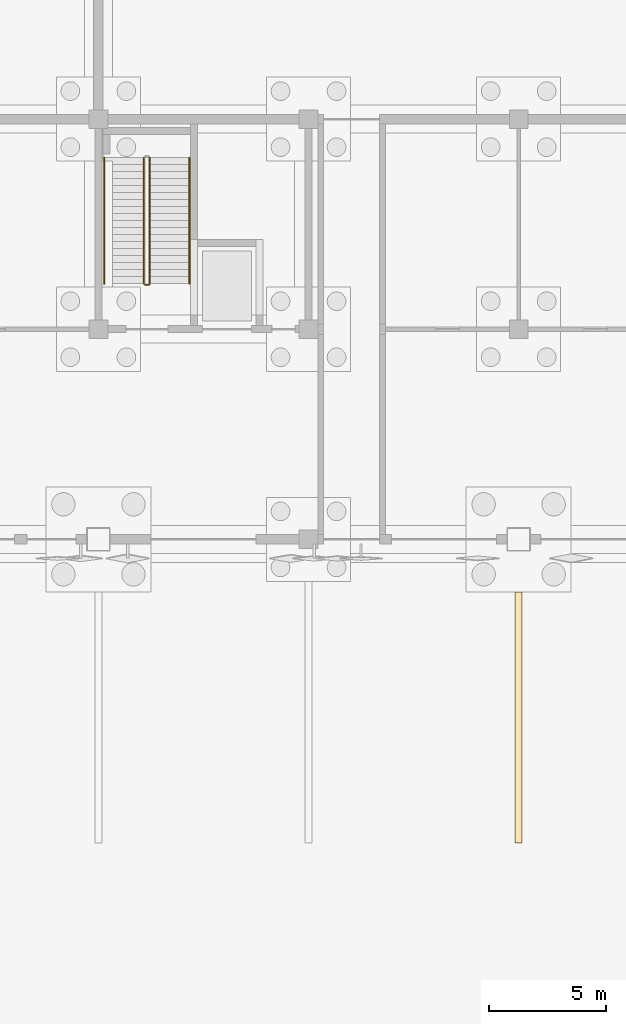
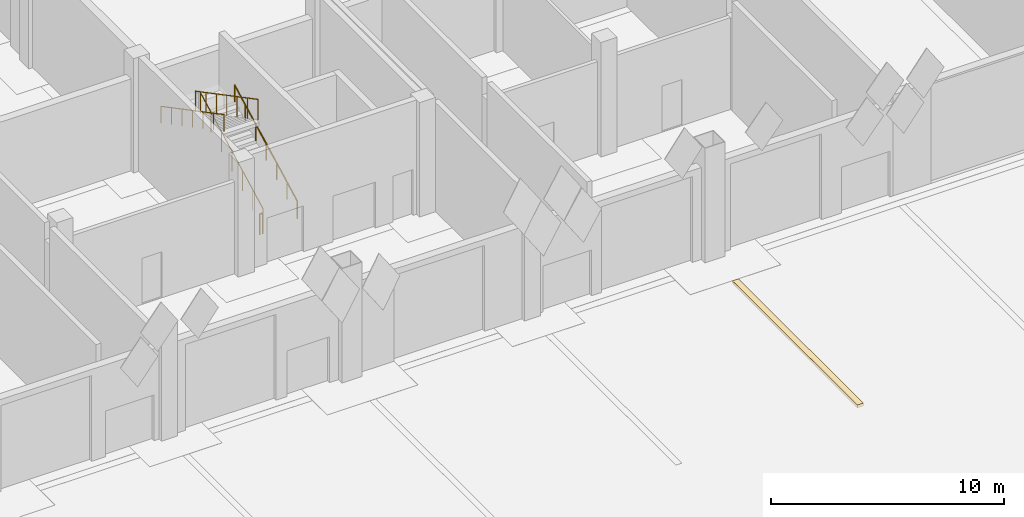
# One storey, part 157 of 198: 5 railings, 1 covering.
"""IFC4 building model written with IfcOpenShell, lengths in metres."""

from ifc_helpers import new_model, si_unit, direction, frame, origin, origin_2d, place, context, subcontext, project, spatial, polyline, circle, outline, extrude, material, layer, layer_set, constituent, constituent_set, type_object, element, save


model = new_model("IFC4")

# Units and contexts
model_context = context("Model", 3, precision=1e-05, world=origin(), true_north=direction((0.0, 1.0)))
body_context = subcontext(model_context, "Body", "Model", "MODEL_VIEW")
ifc_project = project(units=[si_unit("LENGTHUNIT", "METRE"), si_unit("AREAUNIT", "SQUARE_METRE"), si_unit("VOLUMEUNIT", "CUBIC_METRE"), si_unit("PLANEANGLEUNIT", "RADIAN"), si_unit("MASSUNIT", "GRAM", prefix="KILO")], contexts=[model_context])

# Site, building, storey
site_placement = place(None, origin())
site = spatial("IfcSite", under=ifc_project, at=site_placement, CompositionType="ELEMENT")
building_placement = place(site_placement, origin())
building = spatial("IfcBuilding", under=site, at=building_placement, Name="Opaline Strait Convention Centre", CompositionType="ELEMENT")
storey_placement = place(building_placement, origin())
storey = spatial("IfcBuildingStorey", under=building, at=storey_placement, Name="L00", CompositionType="ELEMENT", Elevation=0.0)

# Railings
ifc_material_1 = material(Name="Steel Q235B", Category="steel")
ifc_constituent_1 = constituent(ifc_material_1, Name="Frame")
ifc_material_2 = material(Name="Safety glass, bonded interlayer", Category="glass")
ifc_constituent_2 = constituent(ifc_material_2, Name="Infill")
ifc_constituent_set = constituent_set(constituents=[ifc_constituent_1, ifc_constituent_2], Name="Steel Q235B, Safety glass, bonded interlayer")
railing_type_1 = type_object("IfcRailingType", Name="Stair guard 1100 steel and glass", PredefinedType="GUARDRAIL", material=ifc_constituent_set)
railing_1_placement = place(storey_placement, frame((155.199951171875, 64.949951171875, 0.157958984375)))
element("IfcRailing", 1, at=railing_1_placement, inside=storey, type_object=railing_type_1, Name="L00 XST2 stair guard 1", PredefinedType="GUARDRAIL", context=body_context, shape_type="SweptSolid", body=[
    extrude(circle(Radius=0.02392578125, at=origin_2d()), frame((0.0, 0.0, 1.076171875), z_axis=(0.0, 0.884927768474, 0.465728294806), x_axis=(-1.0, 0.0, 0.0)), (0.0, 0.0, 1.0), 6.102294921875),
    extrude(circle(Radius=0.02099609375, at=origin_2d()), origin(), (0.0, 0.0, 1.0), 1.052001953125),
    extrude(circle(Radius=0.02099609375, at=origin_2d()), frame((0.0, 0.89990234375, 0.4736328125)), (0.0, 0.0, 1.0), 1.052001953125),
    extrude(circle(Radius=0.02099609375, at=origin_2d()), frame((0.0, 1.800048828125, 0.947265625)), (0.0, 0.0, 1.0), 1.052001953125),
    extrude(circle(Radius=0.02099609375, at=origin_2d()), frame((0.0, 2.7001953125, 1.4208984375)), (0.0, 0.0, 1.0), 1.052001953125),
    extrude(circle(Radius=0.02099609375, at=origin_2d()), frame((0.0, 3.60009765625, 1.894775390625)), (0.0, 0.0, 1.0), 1.052001953125),
    extrude(circle(Radius=0.02099609375, at=origin_2d()), frame((0.0, 4.5, 2.368408203125)), (0.0, 0.0, 1.0), 1.052001953125),
    extrude(circle(Radius=0.02099609375, at=origin_2d()), frame((0.0, 5.400146484375, 2.842041015625)), (0.0, 0.0, 1.0), 1.052001953125),
])
railing_2_placement = place(storey_placement, frame((154.949951171875, 70.35009765625, 3.157958984375)))
element("IfcRailing", 2, at=railing_2_placement, inside=storey, type_object=railing_type_1, Name="L00 XST2 stair guard 3", PredefinedType="GUARDRAIL", context=body_context, shape_type="SweptSolid", body=[
    extrude(circle(Radius=0.02392578125, at=origin_2d()), frame((0.0, 0.0, 1.076171875), z_axis=(0.0, -0.884927768474, 0.465728294806), x_axis=(1.0, 0.0, 0.0)), (0.0, 0.0, 1.0), 6.102294921875),
    extrude(circle(Radius=0.02099609375, at=origin_2d()), origin(), (0.0, 0.0, 1.0), 1.052001953125),
    extrude(circle(Radius=0.02099609375, at=origin_2d()), frame((0.0, -0.89990234375, 0.4736328125)), (0.0, 0.0, 1.0), 1.052001953125),
    extrude(circle(Radius=0.02099609375, at=origin_2d()), frame((0.0, -1.800048828125, 0.947265625)), (0.0, 0.0, 1.0), 1.052001953125),
    extrude(circle(Radius=0.02099609375, at=origin_2d()), frame((0.0, -2.7001953125, 1.4208984375)), (0.0, 0.0, 1.0), 1.052001953125),
    extrude(circle(Radius=0.02099609375, at=origin_2d()), frame((0.0, -3.60009765625, 1.894775390625)), (0.0, 0.0, 1.0), 1.052001953125),
    extrude(circle(Radius=0.02099609375, at=origin_2d()), frame((0.0, -4.5, 2.368408203125)), (0.0, 0.0, 1.0), 1.052001953125),
    extrude(circle(Radius=0.02099609375, at=origin_2d()), frame((0.0, -5.400146484375, 2.842041015625)), (0.0, 0.0, 1.0), 1.052001953125),
])
railing_3_placement = place(storey_placement, frame((155.14990234375, 64.89990234375, 0.0)))
element("IfcRailing", 3, at=railing_3_placement, inside=storey, type_object=railing_type_1, Name="L00 XST2 stair guard 4", PredefinedType="GUARDRAIL", context=body_context, shape_type="SweptSolid", body=[
    extrude(circle(Radius=0.02392578125, at=origin_2d()), frame((0.0, 0.0, 1.076171875), z_axis=(-1.0, 0.0, 0.0), x_axis=(0.0, -1.0, 0.0)), (0.0, 0.0, 1.0), 0.14990234375),
    extrude(circle(Radius=0.02099609375, at=origin_2d()), origin(), (0.0, 0.0, 1.0), 1.052001953125),
    extrude(circle(Radius=0.02099609375, at=origin_2d()), frame((-0.14990234375, 0.0, 0.0)), (0.0, 0.0, 1.0), 1.052001953125),
])
ifc_material_3 = material(Name="Stainless steel 304", Category="steel")
railing_type_2 = type_object("IfcRailingType", Name="Stair handrail 900", PredefinedType="HANDRAIL", material=ifc_material_3)
railing_4_placement = place(storey_placement, frame((156.89990234375, 64.949951171875, 0.157958984375)))
element("IfcRailing", 4, at=railing_4_placement, inside=storey, type_object=railing_type_2, Name="L00 XST2 stair handrail 1", PredefinedType="HANDRAIL", context=body_context, shape_type="SweptSolid", body=[
    extrude(circle(Radius=0.02392578125, at=origin_2d()), frame((0.0, 0.0, 0.8759765625), z_axis=(0.0, 0.884927768474, 0.465728294806), x_axis=(-1.0, 0.0, 0.0)), (0.0, 0.0, 1.0), 6.102294921875),
    extrude(circle(Radius=0.02099609375, at=origin_2d()), origin(), (0.0, 0.0, 1.0), 0.851806640625),
    extrude(circle(Radius=0.02099609375, at=origin_2d()), frame((0.0, 0.89990234375, 0.4736328125)), (0.0, 0.0, 1.0), 0.851806640625),
    extrude(circle(Radius=0.02099609375, at=origin_2d()), frame((0.0, 1.800048828125, 0.947265625)), (0.0, 0.0, 1.0), 0.851806640625),
    extrude(circle(Radius=0.02099609375, at=origin_2d()), frame((0.0, 2.7001953125, 1.4208984375)), (0.0, 0.0, 1.0), 0.851806640625),
    extrude(circle(Radius=0.02099609375, at=origin_2d()), frame((0.0, 3.60009765625, 1.894775390625)), (0.0, 0.0, 1.0), 0.851806640625),
    extrude(circle(Radius=0.02099609375, at=origin_2d()), frame((0.0, 4.5, 2.368408203125)), (0.0, 0.0, 1.0), 0.851806640625),
    extrude(circle(Radius=0.02099609375, at=origin_2d()), frame((0.0, 5.400146484375, 2.842041015625)), (0.0, 0.0, 1.0), 0.851806640625),
])
railing_5_placement = place(storey_placement, frame((153.25, 70.35009765625, 3.157958984375)))
element("IfcRailing", 5, at=railing_5_placement, inside=storey, type_object=railing_type_2, Name="L00 XST2 stair handrail 2", PredefinedType="HANDRAIL", context=body_context, shape_type="SweptSolid", body=[
    extrude(circle(Radius=0.02392578125, at=origin_2d()), frame((0.0, 0.0, 0.8759765625), z_axis=(0.0, -0.884927768474, 0.465728294806), x_axis=(1.0, 0.0, 0.0)), (0.0, 0.0, 1.0), 6.102294921875),
    extrude(circle(Radius=0.02099609375, at=origin_2d()), origin(), (0.0, 0.0, 1.0), 0.851806640625),
    extrude(circle(Radius=0.02099609375, at=origin_2d()), frame((0.0, -0.89990234375, 0.4736328125)), (0.0, 0.0, 1.0), 0.851806640625),
    extrude(circle(Radius=0.02099609375, at=origin_2d()), frame((0.0, -1.800048828125, 0.947265625)), (0.0, 0.0, 1.0), 0.851806640625),
    extrude(circle(Radius=0.02099609375, at=origin_2d()), frame((0.0, -2.7001953125, 1.4208984375)), (0.0, 0.0, 1.0), 0.851806640625),
    extrude(circle(Radius=0.02099609375, at=origin_2d()), frame((0.0, -3.60009765625, 1.894775390625)), (0.0, 0.0, 1.0), 0.851806640625),
    extrude(circle(Radius=0.02099609375, at=origin_2d()), frame((0.0, -4.5, 2.368408203125)), (0.0, 0.0, 1.0), 0.851806640625),
    extrude(circle(Radius=0.02099609375, at=origin_2d()), frame((0.0, -5.400146484375, 2.842041015625)), (0.0, 0.0, 1.0), 0.851806640625),
])

# Covering
ifc_material_4 = material(Name="Road marking paint on concrete", Category="concrete")
ifc_layer = layer(ifc_material_4, 0.14990234375)
ifc_layer_set = layer_set([ifc_layer], Name="Road marking paint on concrete")
covering_type = type_object("IfcCoveringType", Name="Yard marking strip 150", PredefinedType="FLOORING", material=ifc_layer_set)
covering_placement = place(storey_placement, frame((0.0, 0.0, -0.14990234375)))
element("IfcCovering", 6, at=covering_placement, inside=storey, type_object=covering_type, Name="Truck bay line 9 surfacing", PredefinedType="FLOORING", context=body_context, shape_type="SweptSolid", body=[
    extrude(outline(polyline([(170.85009765625, 51.7451171875), (170.85009765625, 41.0), (171.14990234375, 41.0), (171.14990234375, 51.7451171875), (170.85009765625, 51.7451171875)])), origin(), (0.0, 0.0, 1.0), 0.14990234375),
])

save(model, "model.ifc")
